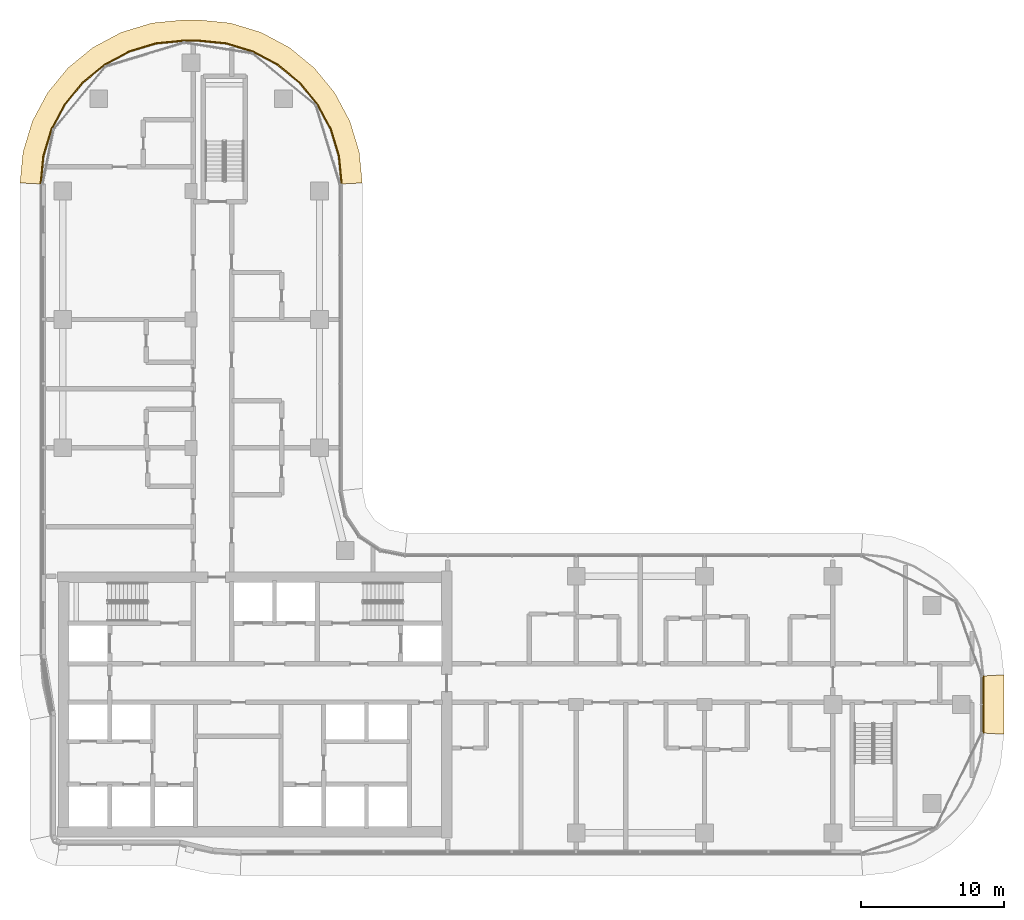
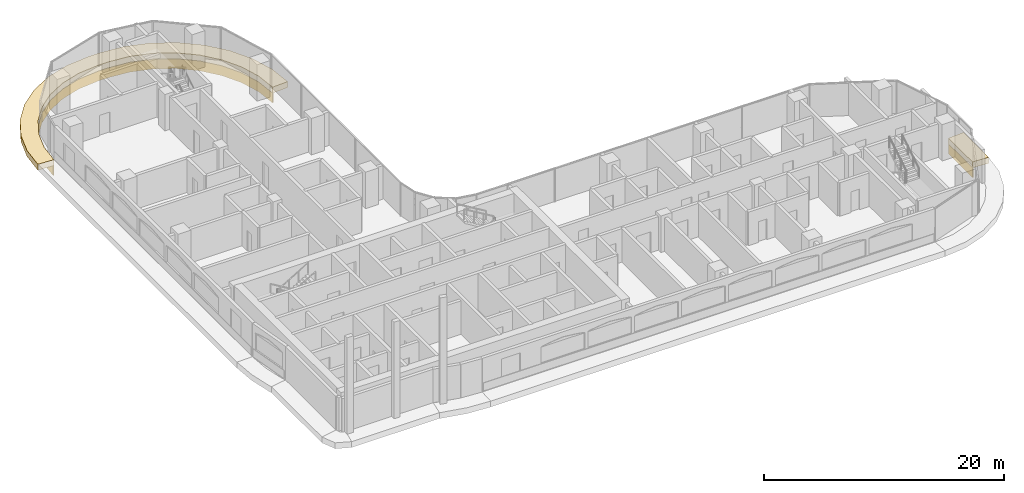
# One storey, part 25 of 25: 4 coverings.
"""IFC4 building model written with IfcOpenShell, lengths in metres."""

from ifc_helpers import new_model, si_unit, direction, frame, origin, place, context, subcontext, project, spatial, polyline, outline, extrude, material, layer, layer_set, type_object, element, save


model = new_model("IFC4")

# Units and contexts
model_context = context("Model", 3, precision=1e-05, world=origin(), true_north=direction((0.0, 1.0)))
body_context = subcontext(model_context, "Body", "Model", "MODEL_VIEW")
ifc_project = project(units=[si_unit("LENGTHUNIT", "METRE"), si_unit("AREAUNIT", "SQUARE_METRE"), si_unit("VOLUMEUNIT", "CUBIC_METRE"), si_unit("PLANEANGLEUNIT", "RADIAN"), si_unit("MASSUNIT", "GRAM", prefix="KILO")], contexts=[model_context])

# Site, building, storey
site_placement = place(None, origin())
site = spatial("IfcSite", under=ifc_project, at=site_placement, CompositionType="ELEMENT")
building_placement = place(site_placement, origin())
building = spatial("IfcBuilding", under=site, at=building_placement, Name="Ogive Portal Towers", CompositionType="ELEMENT")
storey_placement = place(building_placement, frame((0.0, 0.0, 105.60009765625)))
storey = spatial("IfcBuildingStorey", under=building, at=storey_placement, Name="L25", CompositionType="ELEMENT", Elevation=105.60009765625)

# Coverings
ifc_material = material(Name="Limestone cladding on lightweight block wall", Category="masonry")
ifc_layer_1 = layer(ifc_material, 0.080078125)
ifc_layer_set_1 = layer_set([ifc_layer_1], Name="STONE SPANDREL 80")
covering_type_1 = type_object("IfcCoveringType", Name="STONE SPANDREL 80", PredefinedType="CLADDING", material=ifc_layer_set_1)
covering_1_placement = place(storey_placement, frame((0.0, 0.0, -1.60009765625)))
element("IfcCovering", 1, at=covering_1_placement, inside=storey, type_object=covering_type_1, Name="Stone spandrel A1-F07", PredefinedType="CLADDING", context=body_context, shape_type="SweptSolid", body=[
    extrude(outline(polyline([(96.0, 28.5), (96.0, 32.5), (96.080078125, 32.50439453125), (96.080078125, 28.49560546875), (96.0, 28.5)])), origin(), (0.0, 0.0, 1.0), 1.0),
])
covering_2_placement = place(storey_placement, frame((0.0, 0.0, -1.60009765625)))
element("IfcCovering", 2, at=covering_2_placement, inside=storey, type_object=covering_type_1, Name="Stone spandrel A1-F12", PredefinedType="CLADDING", context=body_context, shape_type="SweptSolid", body=[
    extrude(outline(polyline([(51.0, 67.0), (50.807861328125, 68.950927734375), (50.23876953125, 70.826904296875), (49.314697265625, 72.5556640625), (48.071044921875, 74.071044921875), (46.5556640625, 75.314697265625), (44.826904296875, 76.23876953125), (42.950927734375, 76.807861328125), (41.0, 77.0), (40.0, 77.0), (38.049072265625, 76.807861328125), (36.173095703125, 76.23876953125), (34.4443359375, 75.314697265625), (32.928955078125, 74.071044921875), (31.685302734375, 72.5556640625), (30.76123046875, 70.826904296875), (30.192138671875, 68.950927734375), (30.0, 67.0), (29.919921875, 67.00390625), (30.11328125, 68.966552734375), (30.68701171875, 70.857666015625), (31.618408203125, 72.600341796875), (32.8720703125, 74.1279296875), (34.399658203125, 75.381591796875), (36.142333984375, 76.31298828125), (38.033447265625, 76.88671875), (39.99609375, 77.080078125), (41.00390625, 77.080078125), (42.966552734375, 76.88671875), (44.857666015625, 76.31298828125), (46.600341796875, 75.381591796875), (48.1279296875, 74.1279296875), (49.381591796875, 72.600341796875), (50.31298828125, 70.857666015625), (50.88671875, 68.966552734375), (51.080078125, 67.00390625), (51.0, 67.0)])), origin(), (0.0, 0.0, 1.0), 1.0),
])
ifc_layer_2 = layer(ifc_material, 0.60009765625)
ifc_layer_set_2 = layer_set([ifc_layer_2], Name="SUNSHADE LIP 600")
covering_type_2 = type_object("IfcCoveringType", Name="SUNSHADE LIP 600", PredefinedType="CLADDING", material=ifc_layer_set_2)
covering_3_placement = place(storey_placement, frame((0.0, 0.0, -0.60009765625)))
element("IfcCovering", 3, at=covering_3_placement, inside=storey, type_object=covering_type_2, Name="Sunshade lip A1-F07", PredefinedType="CLADDING", context=body_context, shape_type="SweptSolid", body=[
    extrude(outline(polyline([(96.0, 28.5), (96.0, 32.5), (97.5, 32.584228515625), (97.5, 28.415771484375), (96.0, 28.5)])), origin(), (0.0, 0.0, 1.0), 0.60009765625),
])
covering_4_placement = place(storey_placement, frame((0.0, 0.0, -0.60009765625)))
element("IfcCovering", 4, at=covering_4_placement, inside=storey, type_object=covering_type_2, Name="Sunshade lip A1-F12", PredefinedType="CLADDING", context=body_context, shape_type="SweptSolid", body=[
    extrude(outline(polyline([(51.0, 67.0), (50.807861328125, 68.950927734375), (50.23876953125, 70.826904296875), (49.314697265625, 72.5556640625), (48.071044921875, 74.071044921875), (46.5556640625, 75.314697265625), (44.826904296875, 76.23876953125), (42.950927734375, 76.807861328125), (41.0, 77.0), (40.0, 77.0), (38.049072265625, 76.807861328125), (36.173095703125, 76.23876953125), (34.4443359375, 75.314697265625), (32.928955078125, 74.071044921875), (31.685302734375, 72.5556640625), (30.76123046875, 70.826904296875), (30.192138671875, 68.950927734375), (30.0, 67.0), (28.5, 67.07373046875), (28.7138671875, 69.244873046875), (29.36865234375, 71.403564453125), (30.43212890625, 73.39306640625), (31.863037109375, 75.136962890625), (33.60693359375, 76.56787109375), (35.596435546875, 77.63134765625), (37.755126953125, 78.2861328125), (39.92626953125, 78.5), (41.07373046875, 78.5), (43.244873046875, 78.2861328125), (45.403564453125, 77.63134765625), (47.39306640625, 76.56787109375), (49.136962890625, 75.136962890625), (50.56787109375, 73.39306640625), (51.63134765625, 71.403564453125), (52.2861328125, 69.244873046875), (52.5, 67.07373046875), (51.0, 67.0)])), origin(), (0.0, 0.0, 1.0), 0.60009765625),
])

save(model, "model.ifc")
